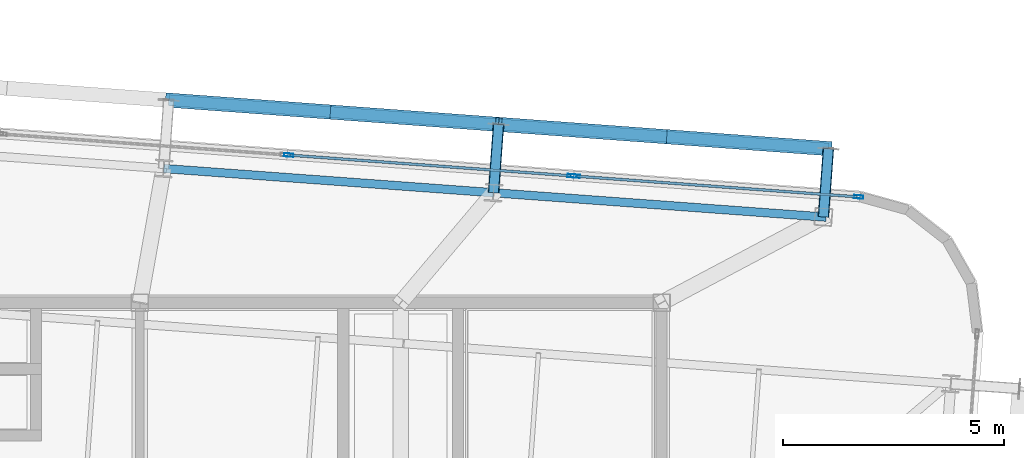
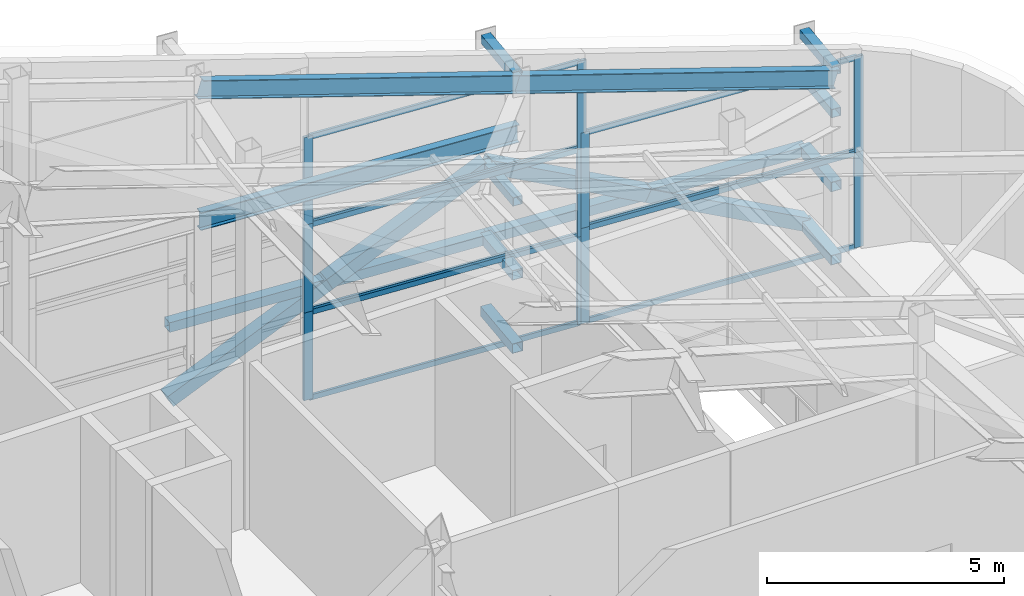
# One storey, part 30 of 56: 34 members, 3 beams, 5 elements without a shape of their own.
"""IFC4 building model written with IfcOpenShell, lengths in metres."""

from ifc_helpers import new_model, si_unit, direction, frame, origin, origin_2d, place, context, subcontext, project, spatial, hollow_rectangle, i_section, extrude, source, transform, mapped, material, layer, layer_set, material_profile, profile_set, type_object, element, aggregate, save


model = new_model("IFC4")

# Units and contexts
model_context = context("Model", 3, precision=1e-05, world=origin(), true_north=direction((0.0, 1.0)))
body_context = subcontext(model_context, "Body", "Model", "MODEL_VIEW")
ifc_project = project(units=[si_unit("LENGTHUNIT", "METRE"), si_unit("AREAUNIT", "SQUARE_METRE"), si_unit("VOLUMEUNIT", "CUBIC_METRE"), si_unit("PLANEANGLEUNIT", "RADIAN"), si_unit("MASSUNIT", "GRAM", prefix="KILO")], contexts=[model_context])

# Site, building, storey
site_placement = place(None, origin())
site = spatial("IfcSite", under=ifc_project, at=site_placement, CompositionType="ELEMENT")
building_placement = place(site_placement, origin())
building = spatial("IfcBuilding", under=site, at=building_placement, Name="Taldren Reach Tower", CompositionType="ELEMENT")
storey_placement = place(building_placement, frame((0.0, 0.0, 253.050048828125)))
storey = spatial("IfcBuildingStorey", under=building, at=storey_placement, Name="L77", CompositionType="ELEMENT", Elevation=253.050048828125)

# Members
ifc_material_1 = material(Name="Steel Gr 350 (C350L0)", Category="steel")
ifc_material_profile_1 = material_profile(ifc_material_1, hollow_rectangle(XDim=0.25, YDim=0.25, WallThickness=0.010009765625, at=origin_2d()), Name="250x250x10.0SHS")
ifc_profile_set_1 = profile_set([ifc_material_profile_1], Name="Steel Gr 350 (C350L0)")
member_type_1 = type_object("IfcMemberType", Name="MB-POST250", PredefinedType="POST", material=ifc_profile_set_1)
shared_shape_1 = source(origin(), body_context, "Body", "SweptSolid", [
    extrude(hollow_rectangle(XDim=0.25, YDim=0.25, WallThickness=0.010009765625, at=origin_2d()), origin(), (0.0, 0.0, 1.0), 1.550048828125),
])
for number, where, z_axis, x_axis, name in (
    (1, (47.199462890625, 34.487548828125, 0.219970703125), (0.07323929162, 0.997314396849, 0.0), (-0.997314396849, 0.07323929162, 0.0), "Exoskeleton base diaphragm tie strut B5-N5 L77"),
    (2, (54.659423828125, 33.939697265625, 0.219970703125), (0.07323929162, 0.997314396849, 0.0), (-0.997314396849, 0.07323929162, 0.0), "Exoskeleton base diaphragm tie strut B5-N6 L77"),
    (3, (47.199462890625, 34.487548828125, 2.10986328125), (0.07323929162, 0.997314396849, 0.0), (-0.997314396849, 0.07323929162, 0.0), "Exoskeleton mid-tier diaphragm tie B5-N5 L77"),
    (4, (54.659423828125, 33.939697265625, 2.10986328125), (0.07323929162, 0.997314396849, 0.0), (-0.997314396849, 0.07323929162, 0.0), "Exoskeleton mid-tier diaphragm tie B5-N6 L77"),
):
    element("IfcMember", number, at=place(storey_placement, frame(where, z_axis=z_axis, x_axis=x_axis)), inside=storey, type_object=member_type_1, Name=name, PredefinedType="POST", context=body_context, shape_type="MappedRepresentation", body=[
        mapped(shared_shape_1, transform((0.0, 0.0, 0.0), scale=1.0)),
    ])
ifc_material_2 = material(Name="Steel Gr 450 (C450L0)", Category="steel")
ifc_material_profile_2 = material_profile(ifc_material_2, hollow_rectangle(XDim=0.219970703125, YDim=0.219970703125, WallThickness=0.00830078125, at=origin_2d()), Name="220x220x8.2SHS")
ifc_profile_set_2 = profile_set([ifc_material_profile_2], Name="Steel Gr 450 (C450L0)")
member_type_2 = type_object("IfcMemberType", Name="MB-TIE219", PredefinedType="STRUT", material=ifc_profile_set_2)
shared_shape_2 = source(origin(), body_context, "Body", "SweptSolid", [
    extrude(hollow_rectangle(XDim=0.219970703125, YDim=0.219970703125, WallThickness=0.00830078125, at=origin_2d()), origin(), (0.0, 0.0, 1.0), 1.550048828125),
])
for number, where, z_axis, x_axis, name in (
    (5, (47.199462890625, 34.487548828125, 7.233642578125), (0.07323929162, 0.997314396849, 0.0), (-0.997314396849, 0.07323929162, 0.0), "Exoskeleton diaphragm tie strut B5-N5 L77"),
    (6, (54.659423828125, 33.939697265625, 5.08935546875), (0.07323929162, 0.997314396849, 0.0), (-0.997314396849, 0.07323929162, 0.0), "Exoskeleton diaphragm tie strut B5-N6 L77"),
    (7, (47.199462890625, 34.487548828125, 4.0), (0.07323929162, 0.997314396849, 0.0), (-0.997314396849, 0.07323929162, 0.0), "Crown exoskeleton mid-tier tie strut B5-N5"),
    (8, (54.659423828125, 33.939697265625, 4.0), (0.07323929162, 0.997314396849, 0.0), (-0.997314396849, 0.07323929162, 0.0), "Crown exoskeleton mid-tier tie strut B5-N6"),
):
    element("IfcMember", number, at=place(storey_placement, frame(where, z_axis=z_axis, x_axis=x_axis)), inside=storey, type_object=member_type_2, Name=name, PredefinedType="STRUT", context=body_context, shape_type="MappedRepresentation", body=[
        mapped(shared_shape_2, transform((0.0, 0.0, 0.0), scale=1.0)),
    ])
shared_shape_3 = source(origin(), body_context, "Body", "SweptSolid", [
    extrude(hollow_rectangle(XDim=0.25, YDim=0.25, WallThickness=0.010009765625, at=origin_2d()), origin(), (0.0, 0.0, 1.0), 7.47998046875),
])
for number, where, z_axis, x_axis, name in (
    (9, (39.85302734375, 36.581298828125, 2.10986328125), (0.997314220642, -0.07324169103, 0.0), (0.07324169103, 0.997314220642, 0.0), "Exoskeleton mid-height ring chord B5-N4 L77"),
    (10, (47.31298828125, 36.033447265625, 2.10986328125), (0.997314220642, -0.07324169103, 0.0), (0.07324169103, 0.997314220642, 0.0), "Exoskeleton mid-height ring chord B5-N5 L77"),
):
    element("IfcMember", number, at=place(storey_placement, frame(where, z_axis=z_axis, x_axis=x_axis)), inside=storey, type_object=member_type_1, Name=name, PredefinedType="POST", context=body_context, shape_type="MappedRepresentation", body=[
        mapped(shared_shape_3, transform((0.0, 0.0, 0.0), scale=1.0)),
    ])

# Beams
ifc_material_3 = material(Name="Steel Gr 350 (350PLUS)", Category="steel")
ifc_material_profile_3 = material_profile(ifc_material_3, i_section(OverallWidth=0.19091796875, OverallDepth=0.4599609375, WebThickness=0.010009765625, FlangeThickness=0.01611328125, at=origin_2d()), Name="460UB82.1")
ifc_profile_set_3 = profile_set([ifc_material_profile_3], Name="Steel Gr 350 (350PLUS)")
beam_type = type_object("IfcBeamType", Name="BM-UB460A", PredefinedType="BEAM", material=ifc_profile_set_3)
shared_shape_4 = source(origin(), body_context, "Body", "SweptSolid", [
    extrude(i_section(OverallWidth=0.19091796875, OverallDepth=0.4599609375, WebThickness=0.010009765625, FlangeThickness=0.01611328125, at=origin_2d()), origin(), (0.0, 0.0, 1.0), 7.78125),
])
for number, where, z_axis, x_axis, name in (
    (11, (39.739501953125, 35.035400390625, 9.203369140625), (0.958708040527, -0.070406494402, -0.275539141639), (0.07324169103, 0.997314220642, 0.0), "Crown sloped perimeter rake girder N6"),
    (12, (47.199462890625, 34.487548828125, 7.059326171875), (0.958699751976, -0.070405885699, -0.275568134625), (0.07324169103, 0.997314220642, 0.0), "Crown sloped perimeter rake girder N7"),
):
    element("IfcBeam", number, at=place(storey_placement, frame(where, z_axis=z_axis, x_axis=x_axis)), inside=storey, type_object=beam_type, Name=name, PredefinedType="BEAM", context=body_context, shape_type="MappedRepresentation", body=[
        mapped(shared_shape_4, transform((0.0, 0.0, 0.0), scale=1.0)),
    ])
shared_shape_5 = source(origin(), body_context, "Body", "SweptSolid", [
    extrude(i_section(OverallWidth=0.19091796875, OverallDepth=0.4599609375, WebThickness=0.010009765625, FlangeThickness=0.01611328125, at=origin_2d()), origin(), (0.0, 0.0, 1.0), 7.47998046875),
])
beam_placement = place(storey_placement, frame((47.199462890625, 34.487548828125, 5.800048828125), z_axis=(-0.997314220642, 0.07324169103, 0.0), x_axis=(-0.07324169103, -0.997314220642, 0.0)))
element("IfcBeam", 13, at=beam_placement, inside=storey, type_object=beam_type, Name="Crown perimeter wind girt LO N5-N4", PredefinedType="BEAM", context=body_context, shape_type="MappedRepresentation", body=[
    mapped(shared_shape_5, transform((0.0, 0.0, 0.0), scale=1.0)),
])

# Members
ifc_material_profile_4 = material_profile(ifc_material_2, hollow_rectangle(XDim=0.324951171875, YDim=0.324951171875, WallThickness=0.0126953125, at=origin_2d()), Name="325x325x12.7SHS")
ifc_profile_set_4 = profile_set([ifc_material_profile_4], Name="Steel Gr 450 (C450L0)")
member_type_3 = type_object("IfcMemberType", Name="MB-BR324", PredefinedType="BRACE", material=ifc_profile_set_4)
shared_shape_6 = source(origin(), body_context, "Body", "SweptSolid", [
    extrude(hollow_rectangle(XDim=0.324951171875, YDim=0.324951171875, WallThickness=0.0126953125, at=origin_2d()), origin(), (0.0, 0.0, 1.0), 4.1904296875),
])
for number, where, z_axis, x_axis, name in (
    (14, (39.85302734375, 36.581298828125, 0.219970703125), (0.890124363023, -0.065369782387, 0.451004889001), (0.07324169103, 0.997314220642, 0.0), "Exoskeleton Diagrid Brace B5-N4 L77"),
    (15, (43.5830078125, 36.307373046875, 2.10986328125), (0.890100973194, -0.065368064663, 0.451051298237), (0.07324169103, 0.997314220642, 0.0), "Exoskeleton Diagrid Brace B5-N4 L77"),
    (16, (54.77294921875, 35.485595703125, 0.219970703125), (-0.890124363023, 0.065369782387, 0.451004889001), (-0.07324169103, -0.997314220642, 0.0), "Exoskeleton Diagrid Brace B5-N5 L77"),
    (17, (51.04296875, 35.759521484375, 2.10986328125), (-0.890100973194, 0.065368064663, 0.451051298237), (-0.07324169103, -0.997314220642, 0.0), "Exoskeleton Diagrid Brace B5-N5 L77"),
):
    element("IfcMember", number, at=place(storey_placement, frame(where, z_axis=z_axis, x_axis=x_axis)), inside=storey, type_object=member_type_3, Name=name, PredefinedType="BRACE", context=body_context, shape_type="MappedRepresentation", body=[
        mapped(shared_shape_6, transform((0.0, 0.0, 0.0), scale=1.0)),
    ])

# Curtain wall, members
ifc_material_4 = material(Name="Aluminium and Low-E Glass Unitised System", Category="aluminium")
ifc_layer = layer(ifc_material_4, 0.159912109375)
ifc_layer_set = layer_set([ifc_layer], Name="Aluminium and Low-E Glass Unitised System")
curtain_wall_type = type_object("IfcCurtainWallType", Name="CW-SYS-8", PredefinedType="NOTDEFINED", material=ifc_layer_set)
curtain_wall_1_placement = place(storey_placement, origin())
curtain_wall_1 = element("IfcCurtainWall", 18, at=curtain_wall_1_placement, inside=storey, type_object=curtain_wall_type, Name="Unitised curtain wall CW8-L77-N6", PredefinedType="NOTDEFINED")
ifc_material_5 = material(Name="Anodised Aluminium 6063-T6", Category="aluminium")
ifc_material_profile_5 = material_profile(ifc_material_5, hollow_rectangle(XDim=0.06005859375, YDim=0.135009765625, WallThickness=0.00341796875, at=origin_2d()), Name="ALU-135x60x3.5RHS")
ifc_profile_set_5 = profile_set([ifc_material_profile_5], Name="Anodised Aluminium 6063-T6")
member_type_4 = type_object("IfcMemberType", Name="CW-TRN-150", PredefinedType="USERDEFINED", material=ifc_profile_set_5)
shared_shape_7 = source(origin(), body_context, "Body", "SweptSolid", [
    extrude(hollow_rectangle(XDim=0.06005859375, YDim=0.135009765625, WallThickness=0.00341796875, at=origin_2d()), origin(), (0.0, 0.0, 1.0), 6.349853515625),
])
member_1_placement = place(storey_placement, frame((49.0869140625, 34.8603515625, 0.030029296875), z_axis=(0.997314030932, -0.073244274217, 0.0), x_axis=(0.073244274217, 0.997314030932, 0.0)))
member_1 = element("IfcMember", 19, at=member_1_placement, type_object=member_type_4, Name="CW-8 transom 1.1", ObjectType="TRANSOM", PredefinedType="USERDEFINED", context=body_context, shape_type="MappedRepresentation", body=[
    mapped(shared_shape_7, transform((0.0, 0.0, 0.0), scale=1.0)),
])
member_2_placement = place(storey_placement, frame((49.0869140625, 34.8603515625, 2.432373046875), z_axis=(0.997314030932, -0.073244274217, 0.0), x_axis=(0.073244274217, 0.997314030932, 0.0)))
member_2 = element("IfcMember", 20, at=member_2_placement, type_object=member_type_4, Name="CW-8 transom 1.2", ObjectType="TRANSOM", PredefinedType="USERDEFINED", context=body_context, shape_type="MappedRepresentation", body=[
    mapped(shared_shape_7, transform((0.0, 0.0, 0.0), scale=1.0)),
])

curtain_wall_2_placement = place(storey_placement, origin())
curtain_wall_2 = element("IfcCurtainWall", 21, at=curtain_wall_2_placement, inside=storey, type_object=curtain_wall_type, Name="Unitised curtain wall CW8-L77-N6-T2", PredefinedType="NOTDEFINED")
member_3_placement = place(storey_placement, frame((49.0869140625, 34.8603515625, 2.492431640625), z_axis=(0.997314030932, -0.073244274217, 0.0), x_axis=(0.073244274217, 0.997314030932, 0.0)))
member_3 = element("IfcMember", 22, at=member_3_placement, type_object=member_type_4, Name="CW-8 transom 1.1", ObjectType="TRANSOM", PredefinedType="USERDEFINED", context=body_context, shape_type="MappedRepresentation", body=[
    mapped(shared_shape_7, transform((0.0, 0.0, 0.0), scale=1.0)),
])
member_4_placement = place(storey_placement, frame((49.0869140625, 34.8603515625, 4.894775390625), z_axis=(0.997314030932, -0.073244274217, 0.0), x_axis=(0.073244274217, 0.997314030932, 0.0)))
member_4 = element("IfcMember", 23, at=member_4_placement, type_object=member_type_4, Name="CW-8 transom 1.2", ObjectType="TRANSOM", PredefinedType="USERDEFINED", context=body_context, shape_type="MappedRepresentation", body=[
    mapped(shared_shape_7, transform((0.0, 0.0, 0.0), scale=1.0)),
])

curtain_wall_3_placement = place(storey_placement, origin())
curtain_wall_3 = element("IfcCurtainWall", 24, at=curtain_wall_3_placement, inside=storey, type_object=curtain_wall_type, Name="Unitised curtain wall CW8-L77-N5", PredefinedType="NOTDEFINED")
shared_shape_8 = source(origin(), body_context, "Body", "SweptSolid", [
    extrude(hollow_rectangle(XDim=0.06005859375, YDim=0.135009765625, WallThickness=0.00341796875, at=origin_2d()), origin(), (0.0, 0.0, 1.0), 6.35009765625),
])
member_5_placement = place(storey_placement, frame((42.604248046875, 35.33642578125, 0.030029296875), z_axis=(0.997314237186, -0.073241465761, 0.0), x_axis=(0.073241465761, 0.997314237186, 0.0)))
member_5 = element("IfcMember", 25, at=member_5_placement, type_object=member_type_4, Name="CW-8 transom 1.1", ObjectType="TRANSOM", PredefinedType="USERDEFINED", context=body_context, shape_type="MappedRepresentation", body=[
    mapped(shared_shape_8, transform((0.0, 0.0, 0.0), scale=1.0)),
])
member_6_placement = place(storey_placement, frame((42.604248046875, 35.33642578125, 2.232666015625), z_axis=(0.997314237186, -0.073241465761, 0.0), x_axis=(0.073241465761, 0.997314237186, 0.0)))
member_6 = element("IfcMember", 26, at=member_6_placement, type_object=member_type_4, Name="CW-8 transom 1.2", ObjectType="TRANSOM", PredefinedType="USERDEFINED", context=body_context, shape_type="MappedRepresentation", body=[
    mapped(shared_shape_8, transform((0.0, 0.0, 0.0), scale=1.0)),
])

curtain_wall_4_placement = place(storey_placement, origin())
curtain_wall_4 = element("IfcCurtainWall", 27, at=curtain_wall_4_placement, inside=storey, type_object=curtain_wall_type, Name="Unitised curtain wall CW8-L77-N5-T2", PredefinedType="NOTDEFINED")
member_7_placement = place(storey_placement, frame((42.604248046875, 35.33642578125, 2.292724609375), z_axis=(0.997314237186, -0.073241465761, 0.0), x_axis=(0.073241465761, 0.997314237186, 0.0)))
member_7 = element("IfcMember", 28, at=member_7_placement, type_object=member_type_4, Name="CW-8 transom 1.1", ObjectType="TRANSOM", PredefinedType="USERDEFINED", context=body_context, shape_type="MappedRepresentation", body=[
    mapped(shared_shape_8, transform((0.0, 0.0, 0.0), scale=1.0)),
])
member_8_placement = place(storey_placement, frame((42.604248046875, 35.33642578125, 4.495361328125), z_axis=(0.997314237186, -0.073241465761, 0.0), x_axis=(0.073241465761, 0.997314237186, 0.0)))
member_8 = element("IfcMember", 29, at=member_8_placement, type_object=member_type_4, Name="CW-8 transom 1.2", ObjectType="TRANSOM", PredefinedType="USERDEFINED", context=body_context, shape_type="MappedRepresentation", body=[
    mapped(shared_shape_8, transform((0.0, 0.0, 0.0), scale=1.0)),
])

curtain_wall_5_placement = place(storey_placement, origin())
curtain_wall_5 = element("IfcCurtainWall", 30, at=curtain_wall_5_placement, inside=storey, type_object=curtain_wall_type, Name="Unitised curtain wall CW8-L77-N5-T3", PredefinedType="NOTDEFINED")
member_9_placement = place(storey_placement, frame((42.604248046875, 35.33642578125, 4.555419921875), z_axis=(0.997314237186, -0.073241465761, 0.0), x_axis=(0.073241465761, 0.997314237186, 0.0)))
member_9 = element("IfcMember", 31, at=member_9_placement, type_object=member_type_4, Name="CW-8 transom 1.1", ObjectType="TRANSOM", PredefinedType="USERDEFINED", context=body_context, shape_type="MappedRepresentation", body=[
    mapped(shared_shape_8, transform((0.0, 0.0, 0.0), scale=1.0)),
])
member_10_placement = place(storey_placement, frame((42.604248046875, 35.33642578125, 6.75830078125), z_axis=(0.997314237186, -0.073241465761, 0.0), x_axis=(0.073241465761, 0.997314237186, 0.0)))
member_10 = element("IfcMember", 32, at=member_10_placement, type_object=member_type_4, Name="CW-8 transom 1.2", ObjectType="TRANSOM", PredefinedType="USERDEFINED", context=body_context, shape_type="MappedRepresentation", body=[
    mapped(shared_shape_8, transform((0.0, 0.0, 0.0), scale=1.0)),
])

# Member
ifc_material_profile_6 = material_profile(ifc_material_5, hollow_rectangle(XDim=0.074951171875, YDim=0.2099609375, WallThickness=0.00439453125, at=origin_2d()), Name="ALU-210x75x4.5RHS")
ifc_profile_set_6 = profile_set([ifc_material_profile_6], Name="Anodised Aluminium 6063-T6")
member_type_5 = type_object("IfcMemberType", Name="CW-MUL-200", PredefinedType="MULLION", material=ifc_profile_set_6)
shared_shape_9 = source(origin(), body_context, "Body", "SweptSolid", [
    extrude(hollow_rectangle(XDim=0.074951171875, YDim=0.2099609375, WallThickness=0.00439453125, at=origin_2d()), origin(), (0.0, 0.0, 1.0), 2.2626953125),
])
member_11_placement = place(storey_placement, frame((42.56689453125, 35.339111328125, 0.0), z_axis=(0.0, 0.0, 1.0), x_axis=(0.073238393838, 0.997314462779, 0.0)))
member_11 = element("IfcMember", 33, at=member_11_placement, type_object=member_type_5, Name="CW-8 mullion 1", PredefinedType="MULLION", context=body_context, shape_type="MappedRepresentation", body=[
    mapped(shared_shape_9, transform((0.0, 0.0, 0.0), scale=1.0)),
])

member_12_placement = place(storey_placement, frame((48.974609375, 34.86865234375, 0.0), z_axis=(0.0, 0.0, 1.0), x_axis=(0.073238393838, 0.997314462779, 0.0)))
member_12 = element("IfcMember", 34, at=member_12_placement, type_object=member_type_5, Name="CW-8 mullion 2", PredefinedType="MULLION", context=body_context, shape_type="MappedRepresentation", body=[
    mapped(shared_shape_9, transform((0.0, 0.0, 0.0), scale=1.0)),
])

aggregate(curtain_wall_3, [member_11, member_12, member_5, member_6])

member_13_placement = place(storey_placement, frame((42.56689453125, 35.339111328125, 2.2626953125), z_axis=(0.0, 0.0, 1.0), x_axis=(0.073238393838, 0.997314462779, 0.0)))
member_13 = element("IfcMember", 35, at=member_13_placement, type_object=member_type_5, Name="CW-8 mullion 1", PredefinedType="MULLION", context=body_context, shape_type="MappedRepresentation", body=[
    mapped(shared_shape_9, transform((0.0, 0.0, 0.0), scale=1.0)),
])

member_14_placement = place(storey_placement, frame((48.974609375, 34.86865234375, 2.2626953125), z_axis=(0.0, 0.0, 1.0), x_axis=(0.073238393838, 0.997314462779, 0.0)))
member_14 = element("IfcMember", 36, at=member_14_placement, type_object=member_type_5, Name="CW-8 mullion 2", PredefinedType="MULLION", context=body_context, shape_type="MappedRepresentation", body=[
    mapped(shared_shape_9, transform((0.0, 0.0, 0.0), scale=1.0)),
])

aggregate(curtain_wall_4, [member_13, member_14, member_7, member_8])

shared_shape_10 = source(origin(), body_context, "Body", "SweptSolid", [
    extrude(hollow_rectangle(XDim=0.074951171875, YDim=0.2099609375, WallThickness=0.00439453125, at=origin_2d()), origin(), (0.0, 0.0, 1.0), 2.262939453125),
])
member_15_placement = place(storey_placement, frame((42.56689453125, 35.339111328125, 4.525390625), z_axis=(0.0, 0.0, 1.0), x_axis=(0.073238393838, 0.997314462779, 0.0)))
member_15 = element("IfcMember", 37, at=member_15_placement, type_object=member_type_5, Name="CW-8 mullion 1", PredefinedType="MULLION", context=body_context, shape_type="MappedRepresentation", body=[
    mapped(shared_shape_10, transform((0.0, 0.0, 0.0), scale=1.0)),
])

member_16_placement = place(storey_placement, frame((48.974609375, 34.86865234375, 4.525390625), z_axis=(0.0, 0.0, 1.0), x_axis=(0.073238393838, 0.997314462779, 0.0)))
member_16 = element("IfcMember", 38, at=member_16_placement, type_object=member_type_5, Name="CW-8 mullion 2", PredefinedType="MULLION", context=body_context, shape_type="MappedRepresentation", body=[
    mapped(shared_shape_10, transform((0.0, 0.0, 0.0), scale=1.0)),
])

aggregate(curtain_wall_5, [member_15, member_16, member_9, member_10])

shared_shape_11 = source(origin(), body_context, "Body", "SweptSolid", [
    extrude(hollow_rectangle(XDim=0.074951171875, YDim=0.2099609375, WallThickness=0.00439453125, at=origin_2d()), origin(), (0.0, 0.0, 1.0), 2.46240234375),
])
member_17_placement = place(storey_placement, frame((49.04931640625, 34.863037109375, 0.0), z_axis=(0.0, 0.0, 1.0), x_axis=(0.073238506213, 0.997314454527, 0.0)))
member_17 = element("IfcMember", 39, at=member_17_placement, type_object=member_type_5, Name="CW-8 mullion 1", PredefinedType="MULLION", context=body_context, shape_type="MappedRepresentation", body=[
    mapped(shared_shape_11, transform((0.0, 0.0, 0.0), scale=1.0)),
])

member_18_placement = place(storey_placement, frame((55.45703125, 34.392578125, 0.0), z_axis=(0.0, 0.0, 1.0), x_axis=(0.073238506213, 0.997314454527, 0.0)))
member_18 = element("IfcMember", 40, at=member_18_placement, type_object=member_type_5, Name="CW-8 mullion 2", PredefinedType="MULLION", context=body_context, shape_type="MappedRepresentation", body=[
    mapped(shared_shape_11, transform((0.0, 0.0, 0.0), scale=1.0)),
])

aggregate(curtain_wall_1, [member_17, member_18, member_1, member_2])

member_19_placement = place(storey_placement, frame((49.04931640625, 34.863037109375, 2.46240234375), z_axis=(0.0, 0.0, 1.0), x_axis=(0.073238506213, 0.997314454527, 0.0)))
member_19 = element("IfcMember", 41, at=member_19_placement, type_object=member_type_5, Name="CW-8 mullion 1", PredefinedType="MULLION", context=body_context, shape_type="MappedRepresentation", body=[
    mapped(shared_shape_11, transform((0.0, 0.0, 0.0), scale=1.0)),
])

member_20_placement = place(storey_placement, frame((55.45703125, 34.392578125, 2.46240234375), z_axis=(0.0, 0.0, 1.0), x_axis=(0.073238506213, 0.997314454527, 0.0)))
member_20 = element("IfcMember", 42, at=member_20_placement, type_object=member_type_5, Name="CW-8 mullion 2", PredefinedType="MULLION", context=body_context, shape_type="MappedRepresentation", body=[
    mapped(shared_shape_11, transform((0.0, 0.0, 0.0), scale=1.0)),
])

aggregate(curtain_wall_2, [member_19, member_20, member_3, member_4])

save(model, "model.ifc")
